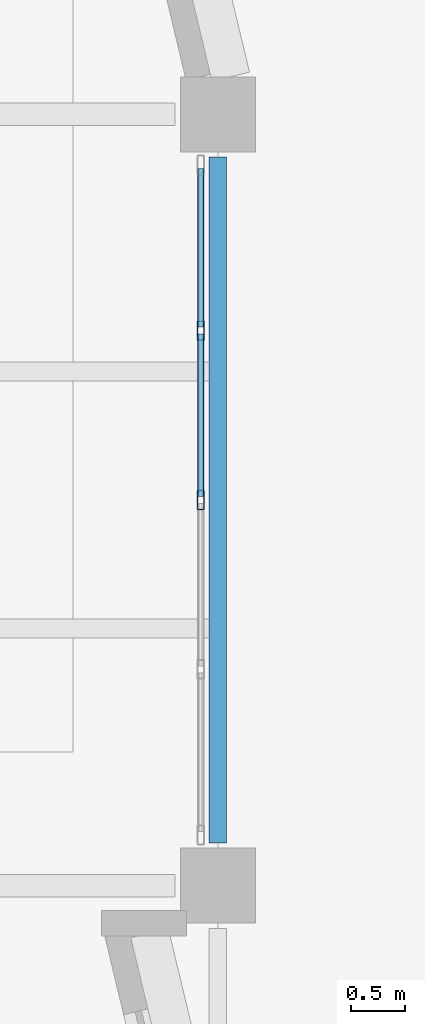
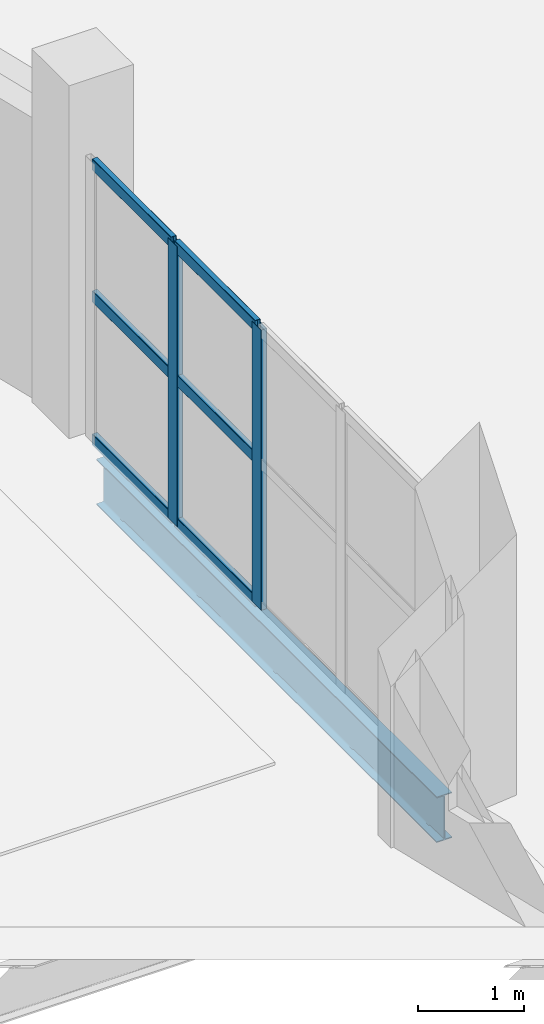
# One storey, part 16 of 38: 8 members, 1 beam, 1 element without a shape of its own.
"""IFC4 building model written with IfcOpenShell, lengths in metres."""

from ifc_helpers import new_model, si_unit, direction, frame, origin, origin_2d, place, context, subcontext, project, spatial, hollow_rectangle, i_section, extrude, material, material_profile, profile_set, type_object, element, aggregate, save


model = new_model("IFC4")

# Units and contexts
model_context = context("Model", 3, precision=1e-05, world=origin(), true_north=direction((0.0, 1.0)))
body_context = subcontext(model_context, "Body", "Model", "MODEL_VIEW")
ifc_project = project(units=[si_unit("LENGTHUNIT", "METRE"), si_unit("AREAUNIT", "SQUARE_METRE"), si_unit("VOLUMEUNIT", "CUBIC_METRE"), si_unit("PLANEANGLEUNIT", "RADIAN"), si_unit("MASSUNIT", "GRAM", prefix="KILO")], contexts=[model_context])

# Site, building, storey
site_placement = place(None, origin())
site = spatial("IfcSite", under=ifc_project, at=site_placement, CompositionType="ELEMENT")
building_placement = place(site_placement, origin())
building = spatial("IfcBuilding", under=site, at=building_placement, Name="Kalmorath City Hall", CompositionType="ELEMENT")
storey_placement = place(building_placement, frame((0.0, 0.0, 18.89990234375)))
storey = spatial("IfcBuildingStorey", under=building, at=storey_placement, Name="L04", CompositionType="ELEMENT", Elevation=18.89990234375)

# Curtain wall, members
ifc_material_1 = material(Name="Anodised aluminium and laminated glass", Category="aluminium")
curtain_wall_type = type_object("IfcCurtainWallType", Name="Unitised hurricane curtain wall 6320x3216 M1750", PredefinedType="NOTDEFINED", material=ifc_material_1)
curtain_wall_placement = place(storey_placement, origin())
curtain_wall = element("IfcCurtainWall", 1, at=curtain_wall_placement, inside=storey, type_object=curtain_wall_type, Name="L04 curtain wall CW-63X32M18 #166", PredefinedType="NOTDEFINED")
ifc_material_2 = material(Name="Anodised aluminium framing", Category="aluminium")
ifc_material_profile_1 = material_profile(ifc_material_2, hollow_rectangle(XDim=0.06494140625, YDim=0.179931640625, WallThickness=0.00390625, InnerFilletRadius=0.00390625, OuterFilletRadius=0.008056640625, at=origin_2d()), Name="ALU-MUL-180X65X4")
ifc_profile_set_1 = profile_set([ifc_material_profile_1], Name="Anodised aluminium framing")
member_type_1 = type_object("IfcMemberType", Name="Curtain-wall courtyard mullion 180x65", PredefinedType="MULLION", material=ifc_profile_set_1)
member_1_placement = place(storey_placement, frame((21.43994140625, 62.780029296875, 0.0), z_axis=(0.0, 0.0, 1.0), x_axis=(1.0, 0.0, 0.0)))
member_1 = element("IfcMember", 2, at=member_1_placement, type_object=member_type_1, Name="CW-63X32M18 mullion 2", PredefinedType="MULLION", context=body_context, shape_type="SweptSolid", body=[
    extrude(hollow_rectangle(XDim=0.06494140625, YDim=0.179931640625, WallThickness=0.00390625, InnerFilletRadius=0.00390625, OuterFilletRadius=0.008056640625, at=origin_2d()), origin(), (0.0, 0.0, 1.0), 3.216064453125),
])
member_2_placement = place(storey_placement, frame((21.43994140625, 61.199951171875, 0.0), z_axis=(0.0, 0.0, 1.0), x_axis=(1.0, 0.0, 0.0)))
member_2 = element("IfcMember", 3, at=member_2_placement, type_object=member_type_1, Name="CW-63X32M18 mullion 3", PredefinedType="MULLION", context=body_context, shape_type="SweptSolid", body=[
    extrude(hollow_rectangle(XDim=0.06494140625, YDim=0.179931640625, WallThickness=0.00390625, InnerFilletRadius=0.00390625, OuterFilletRadius=0.008056640625, at=origin_2d()), origin(), (0.0, 0.0, 1.0), 3.216064453125),
])
ifc_material_3 = material(Name="Anodised aluminium framing", Category="aluminium")
ifc_material_profile_2 = material_profile(ifc_material_3, hollow_rectangle(XDim=0.06005859375, YDim=0.1298828125, WallThickness=0.00341796875, InnerFilletRadius=0.00341796875, OuterFilletRadius=0.007080078125, at=origin_2d()), Name="ALU-TRN-130X60X3.5")
ifc_profile_set_2 = profile_set([ifc_material_profile_2], Name="Anodised aluminium framing")
member_type_2 = type_object("IfcMemberType", Name="Curtain-wall courtyard transom 130x60", PredefinedType="USERDEFINED", material=ifc_profile_set_2)
member_3_placement = place(storey_placement, frame((21.43994140625, 64.294921875, 0.030029296875), z_axis=(0.0, -1.0, 0.0), x_axis=(1.0, 0.0, 0.0)))
member_3 = element("IfcMember", 4, at=member_3_placement, type_object=member_type_2, Name="CW-63X32M18 transom 1.1", ObjectType="TRANSOM", PredefinedType="USERDEFINED", context=body_context, shape_type="SweptSolid", body=[
    extrude(hollow_rectangle(XDim=0.06005859375, YDim=0.1298828125, WallThickness=0.00341796875, InnerFilletRadius=0.00341796875, OuterFilletRadius=0.007080078125, at=origin_2d()), origin(), (0.0, 0.0, 1.0), 1.482421875),
])
member_4_placement = place(storey_placement, frame((21.43994140625, 64.294921875, 1.672119140625), z_axis=(0.0, -1.0, 0.0), x_axis=(1.0, 0.0, 0.0)))
member_4 = element("IfcMember", 5, at=member_4_placement, type_object=member_type_2, Name="CW-63X32M18 transom 1.2", ObjectType="TRANSOM", PredefinedType="USERDEFINED", context=body_context, shape_type="SweptSolid", body=[
    extrude(hollow_rectangle(XDim=0.06005859375, YDim=0.1298828125, WallThickness=0.00341796875, InnerFilletRadius=0.00341796875, OuterFilletRadius=0.007080078125, at=origin_2d()), origin(), (0.0, 0.0, 1.0), 1.482421875),
])
member_5_placement = place(storey_placement, frame((21.43994140625, 64.294921875, 3.18603515625), z_axis=(0.0, -1.0, 0.0), x_axis=(1.0, 0.0, 0.0)))
member_5 = element("IfcMember", 6, at=member_5_placement, type_object=member_type_2, Name="CW-63X32M18 transom 1.3", ObjectType="TRANSOM", PredefinedType="USERDEFINED", context=body_context, shape_type="SweptSolid", body=[
    extrude(hollow_rectangle(XDim=0.06005859375, YDim=0.1298828125, WallThickness=0.00341796875, InnerFilletRadius=0.00341796875, OuterFilletRadius=0.007080078125, at=origin_2d()), origin(), (0.0, 0.0, 1.0), 1.482421875),
])
member_6_placement = place(storey_placement, frame((21.43994140625, 62.74755859375, 0.030029296875), z_axis=(0.0, -1.0, 0.0), x_axis=(1.0, 0.0, 0.0)))
member_6 = element("IfcMember", 7, at=member_6_placement, type_object=member_type_2, Name="CW-63X32M18 transom 2.1", ObjectType="TRANSOM", PredefinedType="USERDEFINED", context=body_context, shape_type="SweptSolid", body=[
    extrude(hollow_rectangle(XDim=0.06005859375, YDim=0.1298828125, WallThickness=0.00341796875, InnerFilletRadius=0.00341796875, OuterFilletRadius=0.007080078125, at=origin_2d()), origin(), (0.0, 0.0, 1.0), 1.51513671875),
])
member_7_placement = place(storey_placement, frame((21.43994140625, 62.74755859375, 1.672119140625), z_axis=(0.0, -1.0, 0.0), x_axis=(1.0, 0.0, 0.0)))
member_7 = element("IfcMember", 8, at=member_7_placement, type_object=member_type_2, Name="CW-63X32M18 transom 2.2", ObjectType="TRANSOM", PredefinedType="USERDEFINED", context=body_context, shape_type="SweptSolid", body=[
    extrude(hollow_rectangle(XDim=0.06005859375, YDim=0.1298828125, WallThickness=0.00341796875, InnerFilletRadius=0.00341796875, OuterFilletRadius=0.007080078125, at=origin_2d()), origin(), (0.0, 0.0, 1.0), 1.51513671875),
])
member_8_placement = place(storey_placement, frame((21.43994140625, 62.74755859375, 3.18603515625), z_axis=(0.0, -1.0, 0.0), x_axis=(1.0, 0.0, 0.0)))
member_8 = element("IfcMember", 9, at=member_8_placement, type_object=member_type_2, Name="CW-63X32M18 transom 2.3", ObjectType="TRANSOM", PredefinedType="USERDEFINED", context=body_context, shape_type="SweptSolid", body=[
    extrude(hollow_rectangle(XDim=0.06005859375, YDim=0.1298828125, WallThickness=0.00341796875, InnerFilletRadius=0.00341796875, OuterFilletRadius=0.007080078125, at=origin_2d()), origin(), (0.0, 0.0, 1.0), 1.51513671875),
])
aggregate(curtain_wall, [member_1, member_2, member_3, member_4, member_5, member_6, member_7, member_8])

# Beam
ifc_material_4 = material(Name="Steel ASTM A992 Grade 50", Category="steel")
ifc_material_profile_3 = material_profile(ifc_material_4, i_section(OverallWidth=0.1650390625, OverallDepth=0.52490234375, WebThickness=0.0087890625, FlangeThickness=0.011474609375, FilletRadius=0.014892578125, at=origin_2d()), Name="W21X44")
ifc_profile_set_3 = profile_set([ifc_material_profile_3], Name="Steel ASTM A992 Grade 50")
beam_type = type_object("IfcBeamType", Name="Steel spandrel beam W21X44", PredefinedType="SPANDREL", material=ifc_profile_set_3)
beam_placement = place(storey_placement, frame((21.60009765625, 58.0, -0.556396484375), z_axis=(0.0, 1.0, 0.0), x_axis=(-1.0, 0.0, 0.0)))
element("IfcBeam", 10, at=beam_placement, inside=storey, type_object=beam_type, Name="L04 girder SB4 Y4/9-10", PredefinedType="SPANDREL", context=body_context, shape_type="SweptSolid", body=[
    extrude(i_section(OverallWidth=0.1650390625, OverallDepth=0.52490234375, WebThickness=0.0087890625, FlangeThickness=0.011474609375, FilletRadius=0.014892578125, at=origin_2d()), origin(), (0.0, 0.0, 1.0), 6.39990234375),
])

save(model, "model.ifc")
